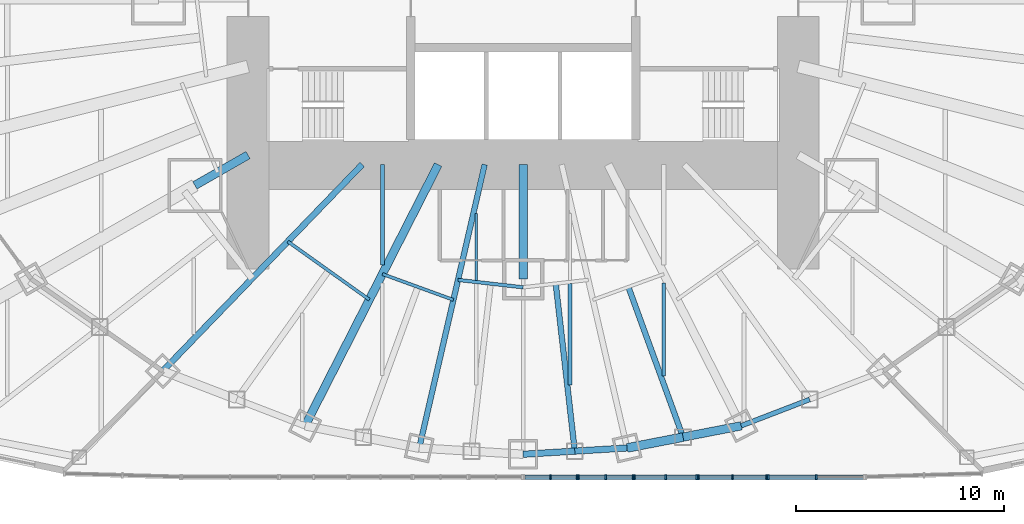
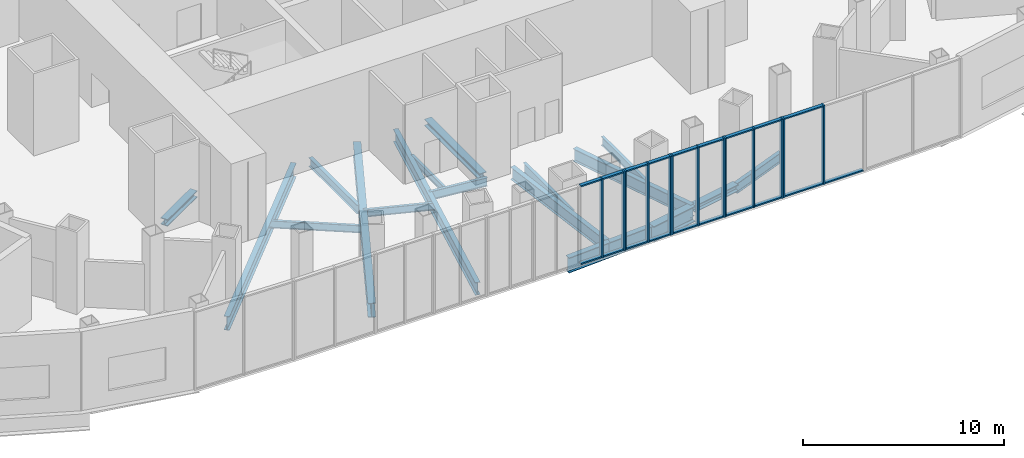
# One storey, part 4 of 73: 32 members, 19 beams, 5 elements without a shape of their own.
"""IFC4 building model written with IfcOpenShell, lengths in metres."""

from ifc_helpers import new_model, si_unit, direction, frame, origin, origin_2d, place, context, subcontext, project, spatial, rectangle, i_section, extrude, material, material_profile, profile_set, type_object, element, aggregate, save


model = new_model("IFC4")

# Units and contexts
model_context = context("Model", 3, precision=1e-05, world=origin(), true_north=direction((0.0, 1.0)))
body_context = subcontext(model_context, "Body", "Model", "MODEL_VIEW")
ifc_project = project(units=[si_unit("LENGTHUNIT", "METRE"), si_unit("AREAUNIT", "SQUARE_METRE"), si_unit("VOLUMEUNIT", "CUBIC_METRE"), si_unit("PLANEANGLEUNIT", "RADIAN"), si_unit("MASSUNIT", "GRAM", prefix="KILO")], contexts=[model_context])

# Site, building, storey
site_placement = place(None, origin())
site = spatial("IfcSite", under=ifc_project, at=site_placement, CompositionType="ELEMENT")
building_placement = place(site_placement, origin())
building = spatial("IfcBuilding", under=site, at=building_placement, Name="Lantaw Convention Tower", CompositionType="ELEMENT")
storey_placement = place(building_placement, frame((0.0, 0.0, 27.0)))
storey = spatial("IfcBuildingStorey", under=building, at=storey_placement, Name="L04", CompositionType="ELEMENT", Elevation=27.0)

# Beams
ifc_material_1 = material(Name="Steel ASTM A992", Category="steel")
ifc_material_profile_1 = material_profile(ifc_material_1, i_section(OverallWidth=0.40380859375, OverallDepth=0.406494140625, WebThickness=0.027099609375, FlangeThickness=0.043701171875, FilletRadius=0.01513671875, at=origin_2d()), Name="W14X233")
ifc_profile_set_1 = profile_set([ifc_material_profile_1], Name="Steel ASTM A992")
beam_type_1 = type_object("IfcBeamType", Name="Beam E W14X233", PredefinedType="SPANDREL", material=ifc_profile_set_1)
beam_1_placement = place(storey_placement, frame((7.671142578125, -21.076416015625, -0.4033203125), z_axis=(0.98163593748, 0.190763954266, 0.0), x_axis=(-0.190763954266, 0.98163593748, 0.0)))
element("IfcBeam", 1, at=beam_1_placement, inside=storey, type_object=beam_type_1, Name="Edge beam 20", PredefinedType="SPANDREL", context=body_context, shape_type="SweptSolid", body=[
    extrude(i_section(OverallWidth=0.40380859375, OverallDepth=0.406494140625, WebThickness=0.027099609375, FlangeThickness=0.043701171875, FilletRadius=0.01513671875, at=origin_2d()), origin(), (0.0, 0.0, 1.0), 2.84375),
])
ifc_material_profile_2 = material_profile(ifc_material_1, i_section(OverallWidth=0.22900390625, OverallDepth=0.612060546875, WebThickness=0.011962890625, FlangeThickness=0.01953125, FilletRadius=0.0126953125, at=origin_2d()), Name="W24X84")
ifc_profile_set_2 = profile_set([ifc_material_profile_2], Name="Steel ASTM A992")
beam_type_2 = type_object("IfcBeamType", Name="Beam E W24X84", PredefinedType="SPANDREL", material=ifc_profile_set_2)
beam_2_placement = place(storey_placement, frame((10.462646484375, -20.533935546875, -0.506103515625), z_axis=(0.933241815012, 0.359248820058, 0.0), x_axis=(-0.359248820058, 0.933241815012, 0.0)))
element("IfcBeam", 2, at=beam_2_placement, inside=storey, type_object=beam_type_2, Name="Edge beam 21", PredefinedType="SPANDREL", context=body_context, shape_type="SweptSolid", body=[
    extrude(i_section(OverallWidth=0.22900390625, OverallDepth=0.612060546875, WebThickness=0.011962890625, FlangeThickness=0.01953125, FilletRadius=0.0126953125, at=origin_2d()), origin(), (0.0, 0.0, 1.0), 3.517578125),
])
ifc_material_profile_3 = material_profile(ifc_material_1, i_section(OverallWidth=0.307373046875, OverallDepth=0.922119140625, WebThickness=0.018310546875, FlangeThickness=0.030029296875, FilletRadius=0.0126953125, at=origin_2d()), Name="W36X182")
ifc_profile_set_3 = profile_set([ifc_material_profile_3], Name="Steel ASTM A992")
beam_type_3 = type_object("IfcBeamType", Name="Beam E W36X182", PredefinedType="SPANDREL", material=ifc_profile_set_3)
beam_3_placement = place(storey_placement, frame((0.0, -21.89990234375, -0.660888671875), z_axis=(0.998175328335, 0.060382231685, 0.0), x_axis=(-0.060382231685, 0.998175328335, 0.0)))
element("IfcBeam", 3, at=beam_3_placement, inside=storey, type_object=beam_type_3, Name="Edge beam 19", PredefinedType="SPANDREL", context=body_context, shape_type="SweptSolid", body=[
    extrude(i_section(OverallWidth=0.307373046875, OverallDepth=0.922119140625, WebThickness=0.018310546875, FlangeThickness=0.030029296875, FilletRadius=0.0126953125, at=origin_2d()), origin(), (0.0, 0.0, 1.0), 2.482666015625),
])
beam_4_placement = place(storey_placement, frame((2.47802734375, -21.75, -0.660888671875), z_axis=(0.998172405641, 0.060430527186, 0.0), x_axis=(-0.060430527186, 0.998172405641, 0.0)))
element("IfcBeam", 4, at=beam_4_placement, inside=storey, type_object=beam_type_3, Name="Edge beam 19", PredefinedType="SPANDREL", context=body_context, shape_type="SweptSolid", body=[
    extrude(i_section(OverallWidth=0.307373046875, OverallDepth=0.922119140625, WebThickness=0.018310546875, FlangeThickness=0.030029296875, FilletRadius=0.0126953125, at=origin_2d()), origin(), (0.0, 0.0, 1.0), 2.512939453125),
])
ifc_material_profile_4 = material_profile(ifc_material_1, i_section(OverallWidth=0.421630859375, OverallDepth=0.937255859375, WebThickness=0.0224609375, FlangeThickness=0.039794921875, FilletRadius=0.02001953125, at=origin_2d()), Name="W36X282")
ifc_profile_set_4 = profile_set([ifc_material_profile_4], Name="Steel ASTM A992")
beam_type_4 = type_object("IfcBeamType", Name="Beam E W36X282", PredefinedType="SPANDREL", material=ifc_profile_set_4)
beam_5_placement = place(storey_placement, frame((4.986328125, -21.59814453125, -0.668701171875), z_axis=(0.981637218105, 0.190757364289, 0.0), x_axis=(-0.190757364289, 0.981637218105, 0.0)))
element("IfcBeam", 5, at=beam_5_placement, inside=storey, type_object=beam_type_4, Name="Edge beam 20", PredefinedType="SPANDREL", context=body_context, shape_type="SweptSolid", body=[
    extrude(i_section(OverallWidth=0.421630859375, OverallDepth=0.937255859375, WebThickness=0.0224609375, FlangeThickness=0.039794921875, FilletRadius=0.02001953125, at=origin_2d()), origin(), (0.0, 0.0, 1.0), 2.735107421875),
])
ifc_material_profile_5 = material_profile(ifc_material_1, i_section(OverallWidth=0.2666015625, OverallDepth=0.7568359375, WebThickness=0.013916015625, FlangeThickness=0.019287109375, FilletRadius=0.0126953125, at=origin_2d()), Name="W30X108")
ifc_profile_set_5 = profile_set([ifc_material_profile_5], Name="Steel ASTM A992")
beam_type_5 = type_object("IfcBeamType", Name="Beam G W30X108", PredefinedType="BEAM", material=ifc_profile_set_5)
beam_6_placement = place(storey_placement, frame((1.5625, -13.713134765625, -0.578369140625), z_axis=(0.113183957156, -0.993574049501, 0.0), x_axis=(0.993574049501, 0.113183957156, 0.0)))
element("IfcBeam", 6, at=beam_6_placement, inside=storey, type_object=beam_type_5, Name="Floor girder on bisector 19", PredefinedType="BEAM", context=body_context, shape_type="SweptSolid", body=[
    extrude(i_section(OverallWidth=0.2666015625, OverallDepth=0.7568359375, WebThickness=0.013916015625, FlangeThickness=0.019287109375, FilletRadius=0.0126953125, at=origin_2d()), origin(), (0.0, 0.0, 1.0), 8.0888671875),
])
ifc_material_profile_6 = material_profile(ifc_material_1, i_section(OverallWidth=0.2666015625, OverallDepth=0.76953125, WebThickness=0.015625, FlangeThickness=0.025390625, FilletRadius=0.0126953125, at=origin_2d()), Name="W30X132")
ifc_profile_set_6 = profile_set([ifc_material_profile_6], Name="Steel ASTM A992")
beam_type_6 = type_object("IfcBeamType", Name="Beam G W30X132", PredefinedType="BEAM", material=ifc_profile_set_6)
beam_7_placement = place(storey_placement, frame((-1.846923828125, -8.0, -0.584716796875), z_axis=(-0.224952773175, -0.97436966796, 0.0), x_axis=(0.97436966796, -0.224952773175, 0.0)))
element("IfcBeam", 7, at=beam_7_placement, inside=storey, type_object=beam_type_6, Name="Floor girder on ray 18", PredefinedType="BEAM", context=body_context, shape_type="SweptSolid", body=[
    extrude(i_section(OverallWidth=0.2666015625, OverallDepth=0.76953125, WebThickness=0.015625, FlangeThickness=0.025390625, FilletRadius=0.0126953125, at=origin_2d()), origin(), (0.0, 0.0, 1.0), 13.955810546875),
])
beam_8_placement = place(storey_placement, frame((5.04931640625, -13.873046875, -0.584716796875), z_axis=(0.342021781151, -0.939692024664, 0.0), x_axis=(0.939692024664, 0.342021781151, 0.0)))
element("IfcBeam", 8, at=beam_8_placement, inside=storey, type_object=beam_type_6, Name="Floor girder on bisector 20", PredefinedType="BEAM", context=body_context, shape_type="SweptSolid", body=[
    extrude(i_section(OverallWidth=0.2666015625, OverallDepth=0.76953125, WebThickness=0.015625, FlangeThickness=0.025390625, FilletRadius=0.0126953125, at=origin_2d()), origin(), (0.0, 0.0, 1.0), 7.665771484375),
])
ifc_material_profile_7 = material_profile(ifc_material_1, i_section(OverallWidth=0.2919921875, OverallDepth=0.845703125, WebThickness=0.015380859375, FlangeThickness=0.0244140625, FilletRadius=0.01513671875, at=origin_2d()), Name="W33X141")
ifc_profile_set_7 = profile_set([ifc_material_profile_7], Name="Steel ASTM A992")
beam_type_7 = type_object("IfcBeamType", Name="Beam G W33X141", PredefinedType="BEAM", material=ifc_profile_set_7)
beam_9_placement = place(storey_placement, frame((-7.7255859375, -8.0, -0.622802734375), z_axis=(-0.694649884291, -0.719347995239, 0.0), x_axis=(0.719347995239, -0.694649884291, 0.0)))
element("IfcBeam", 9, at=beam_9_placement, inside=storey, type_object=beam_type_7, Name="Floor girder on ray 16", PredefinedType="BEAM", context=body_context, shape_type="SweptSolid", body=[
    extrude(i_section(OverallWidth=0.2919921875, OverallDepth=0.845703125, WebThickness=0.015380859375, FlangeThickness=0.0244140625, FilletRadius=0.01513671875, at=origin_2d()), origin(), (0.0, 0.0, 1.0), 13.769775390625),
])
ifc_material_profile_8 = material_profile(ifc_material_1, i_section(OverallWidth=0.398681640625, OverallDepth=0.85595703125, WebThickness=0.01806640625, FlangeThickness=0.029296875, FilletRadius=0.016357421875, at=origin_2d()), Name="W33X201")
ifc_profile_set_8 = profile_set([ifc_material_profile_8], Name="Steel ASTM A992")
beam_type_8 = type_object("IfcBeamType", Name="Beam G W33X201", PredefinedType="BEAM", material=ifc_profile_set_8)
beam_10_placement = place(storey_placement, frame((-4.076171875, -8.0, -0.6279296875), z_axis=(-0.453997016122, -0.891003203896, 0.0), x_axis=(0.891003203896, -0.453997016122, 0.0)))
element("IfcBeam", 10, at=beam_10_placement, inside=storey, type_object=beam_type_8, Name="Floor girder on ray 17", PredefinedType="BEAM", context=body_context, shape_type="SweptSolid", body=[
    extrude(i_section(OverallWidth=0.398681640625, OverallDepth=0.85595703125, WebThickness=0.01806640625, FlangeThickness=0.029296875, FilletRadius=0.016357421875, at=origin_2d()), origin(), (0.0, 0.0, 1.0), 14.067138671875),
])
ifc_material_profile_9 = material_profile(ifc_material_1, i_section(OverallWidth=0.40380859375, OverallDepth=0.406494140625, WebThickness=0.027099609375, FlangeThickness=0.043701171875, FilletRadius=0.01513671875, at=origin_2d()), Name="W14X233")
ifc_profile_set_9 = profile_set([ifc_material_profile_9], Name="Steel ASTM A992")
beam_type_9 = type_object("IfcBeamType", Name="Beam GM W14X233", PredefinedType="BEAM", material=ifc_profile_set_9)
beam_11_placement = place(storey_placement, frame((-13.199951171875, -7.54296875, -0.4033203125), z_axis=(-0.868263603466, -0.496103129295, 0.0), x_axis=(0.496103129295, -0.868263603466, 0.0)))
element("IfcBeam", 11, at=beam_11_placement, inside=storey, type_object=beam_type_9, Name="Core link beam on ray 15", PredefinedType="BEAM", context=body_context, shape_type="SweptSolid", body=[
    extrude(i_section(OverallWidth=0.40380859375, OverallDepth=0.406494140625, WebThickness=0.027099609375, FlangeThickness=0.043701171875, FilletRadius=0.01513671875, at=origin_2d()), origin(), (0.0, 0.0, 1.0), 2.93701171875),
])
beam_12_placement = place(storey_placement, frame((0.0, -8.0, -0.4033203125), z_axis=(0.0, -1.0, 0.0), x_axis=(1.0, 0.0, 0.0)))
element("IfcBeam", 12, at=beam_12_placement, inside=storey, type_object=beam_type_9, Name="Core link beam on ray 19", PredefinedType="BEAM", context=body_context, shape_type="SweptSolid", body=[
    extrude(i_section(OverallWidth=0.40380859375, OverallDepth=0.406494140625, WebThickness=0.027099609375, FlangeThickness=0.043701171875, FilletRadius=0.01513671875, at=origin_2d()), origin(), (0.0, 0.0, 1.0), 5.5),
])
ifc_material_profile_10 = material_profile(ifc_material_1, i_section(OverallWidth=0.15234375, OverallDepth=0.449462890625, WebThickness=0.007568359375, FlangeThickness=0.0107421875, FilletRadius=0.01025390625, at=origin_2d()), Name="W18X35")
ifc_profile_set_10 = profile_set([ifc_material_profile_10], Name="Steel ASTM A992")
beam_type_10 = type_object("IfcBeamType", Name="Beam HC W18X35", PredefinedType="BEAM", material=ifc_profile_set_10)
beam_13_placement = place(storey_placement, frame((-11.291748046875, -11.69287109375, -0.4248046875), z_axis=(0.814110909588, -0.580709416912, 0.0), x_axis=(0.580709416912, 0.814110909588, 0.0)))
element("IfcBeam", 13, at=beam_13_placement, inside=storey, type_object=beam_type_10, Name="Collar beam on bisector 16", PredefinedType="BEAM", context=body_context, shape_type="SweptSolid", body=[
    extrude(i_section(OverallWidth=0.15234375, OverallDepth=0.449462890625, WebThickness=0.007568359375, FlangeThickness=0.0107421875, FilletRadius=0.01025390625, at=origin_2d()), origin(), (0.0, 0.0, 1.0), 4.805419921875),
])
beam_14_placement = place(storey_placement, frame((-6.752685546875, -13.253173828125, -0.4248046875), z_axis=(0.939689171859, -0.342029619025, 0.0), x_axis=(0.342029619025, 0.939689171859, 0.0)))
element("IfcBeam", 14, at=beam_14_placement, inside=storey, type_object=beam_type_10, Name="Collar beam on bisector 17", PredefinedType="BEAM", context=body_context, shape_type="SweptSolid", body=[
    extrude(i_section(OverallWidth=0.15234375, OverallDepth=0.449462890625, WebThickness=0.007568359375, FlangeThickness=0.0107421875, FilletRadius=0.01025390625, at=origin_2d()), origin(), (0.0, 0.0, 1.0), 3.62548828125),
])
ifc_material_profile_11 = material_profile(ifc_material_1, i_section(OverallWidth=0.165771484375, OverallDepth=0.5283203125, WebThickness=0.009765625, FlangeThickness=0.013671875, FilletRadius=0.012939453125, at=origin_2d()), Name="W21X50")
ifc_profile_set_11 = profile_set([ifc_material_profile_11], Name="Steel ASTM A992")
beam_type_11 = type_object("IfcBeamType", Name="Beam HC W21X50", PredefinedType="BEAM", material=ifc_profile_set_11)
beam_15_placement = place(storey_placement, frame((-3.124755859375, -13.534912109375, -0.464111328125), z_axis=(0.99356540907, -0.113259780595, 0.0), x_axis=(0.113259780595, 0.99356540907, 0.0)))
element("IfcBeam", 15, at=beam_15_placement, inside=storey, type_object=beam_type_11, Name="Collar beam on bisector 18", PredefinedType="BEAM", context=body_context, shape_type="SweptSolid", body=[
    extrude(i_section(OverallWidth=0.165771484375, OverallDepth=0.5283203125, WebThickness=0.009765625, FlangeThickness=0.013671875, FilletRadius=0.012939453125, at=origin_2d()), origin(), (0.0, 0.0, 1.0), 3.14501953125),
])
ifc_material_profile_12 = material_profile(ifc_material_1, i_section(OverallWidth=0.140380859375, OverallDepth=0.40380859375, WebThickness=0.007080078125, FlangeThickness=0.01123046875, FilletRadius=0.01025390625, at=origin_2d()), Name="W16X31")
ifc_profile_set_12 = profile_set([ifc_material_profile_12], Name="Steel ASTM A992")
beam_type_12 = type_object("IfcBeamType", Name="Beam J W16X31", PredefinedType="JOIST", material=ifc_profile_set_12)
beam_16_placement = place(storey_placement, frame((-2.25, -13.55126953125, -0.40185546875), z_axis=(0.0, 1.0, 0.0), x_axis=(-1.0, 0.0, 0.0)))
element("IfcBeam", 16, at=beam_16_placement, inside=storey, type_object=beam_type_12, Name="Floor joist", PredefinedType="JOIST", context=body_context, shape_type="SweptSolid", body=[
    extrude(i_section(OverallWidth=0.140380859375, OverallDepth=0.40380859375, WebThickness=0.007080078125, FlangeThickness=0.01123046875, FilletRadius=0.01025390625, at=origin_2d()), origin(), (0.0, 0.0, 1.0), 3.212646484375),
])
ifc_material_profile_13 = material_profile(ifc_material_1, i_section(OverallWidth=0.1650390625, OverallDepth=0.52587890625, WebThickness=0.0087890625, FlangeThickness=0.011474609375, FilletRadius=0.0126953125, at=origin_2d()), Name="W21X44")
ifc_profile_set_13 = profile_set([ifc_material_profile_13], Name="Steel ASTM A992")
beam_type_13 = type_object("IfcBeamType", Name="Beam J W21X44", PredefinedType="JOIST", material=ifc_profile_set_13)
beam_17_placement = place(storey_placement, frame((6.75, -18.155517578125, -0.462890625), z_axis=(0.0, 1.0, 0.0), x_axis=(-1.0, 0.0, 0.0)))
element("IfcBeam", 17, at=beam_17_placement, inside=storey, type_object=beam_type_13, Name="Floor joist", PredefinedType="JOIST", context=body_context, shape_type="SweptSolid", body=[
    extrude(i_section(OverallWidth=0.1650390625, OverallDepth=0.52587890625, WebThickness=0.0087890625, FlangeThickness=0.011474609375, FilletRadius=0.0126953125, at=origin_2d()), origin(), (0.0, 0.0, 1.0), 4.462158203125),
])
ifc_material_profile_14 = material_profile(ifc_material_1, i_section(OverallWidth=0.2099609375, OverallDepth=0.535888671875, WebThickness=0.010986328125, FlangeThickness=0.017333984375, FilletRadius=0.012939453125, at=origin_2d()), Name="W21X68")
ifc_profile_set_14 = profile_set([ifc_material_profile_14], Name="Steel ASTM A992")
beam_type_14 = type_object("IfcBeamType", Name="Beam J W21X68", PredefinedType="JOIST", material=ifc_profile_set_14)
beam_18_placement = place(storey_placement, frame((-6.75, -12.808349609375, -0.468017578125), z_axis=(0.0, 1.0, 0.0), x_axis=(-1.0, 0.0, 0.0)))
element("IfcBeam", 18, at=beam_18_placement, inside=storey, type_object=beam_type_14, Name="Floor joist", PredefinedType="JOIST", context=body_context, shape_type="SweptSolid", body=[
    extrude(i_section(OverallWidth=0.2099609375, OverallDepth=0.535888671875, WebThickness=0.010986328125, FlangeThickness=0.017333984375, FilletRadius=0.012939453125, at=origin_2d()), origin(), (0.0, 0.0, 1.0), 4.808349609375),
])
ifc_material_profile_15 = material_profile(ifc_material_1, i_section(OverallWidth=0.177978515625, OverallDepth=0.599365234375, WebThickness=0.010009765625, FlangeThickness=0.012939453125, FilletRadius=0.012939453125, at=origin_2d()), Name="W24X55")
ifc_profile_set_15 = profile_set([ifc_material_profile_15], Name="Steel ASTM A992")
beam_type_15 = type_object("IfcBeamType", Name="Beam J W24X55", PredefinedType="JOIST", material=ifc_profile_set_15)
beam_19_placement = place(storey_placement, frame((2.25, -18.570068359375, -0.499755859375), z_axis=(0.0, 1.0, 0.0), x_axis=(-1.0, 0.0, 0.0)))
element("IfcBeam", 19, at=beam_19_placement, inside=storey, type_object=beam_type_15, Name="Floor joist", PredefinedType="JOIST", context=body_context, shape_type="SweptSolid", body=[
    extrude(i_section(OverallWidth=0.177978515625, OverallDepth=0.599365234375, WebThickness=0.010009765625, FlangeThickness=0.012939453125, FilletRadius=0.012939453125, at=origin_2d()), origin(), (0.0, 0.0, 1.0), 4.851806640625),
])

# Curtain wall, members
ifc_material_2 = material(Name="Aluminium framed curtain wall", Category="aluminium")
curtain_wall_type = type_object("IfcCurtainWallType", Name="Podium storefront curtain wall, pale aluminium", PredefinedType="USERDEFINED", material=ifc_material_2)
curtain_wall_1_placement = place(storey_placement, origin())
curtain_wall_1 = element("IfcCurtainWall", 20, at=curtain_wall_1_placement, inside=storey, type_object=curtain_wall_type, Name="Podium storefront curtain wall, pale aluminium L04", ObjectType="STOREFRONT", PredefinedType="USERDEFINED")
ifc_material_3 = material(Name="Aluminium 6063-T6", Category="aluminium")
ifc_material_profile_16 = material_profile(ifc_material_3, rectangle(XDim=0.25, YDim=0.080078125, at=origin_2d()), Name="CW-P mullion 80x250")
ifc_profile_set_16 = profile_set([ifc_material_profile_16], Name="Aluminium 6063-T6")
member_type_1 = type_object("IfcMemberType", Name="CW-P mullion 80x250", PredefinedType="MULLION", material=ifc_profile_set_16)
member_1_placement = place(storey_placement, frame((1.310302734375, -23.0, 0.0), z_axis=(0.0, 0.0, 1.0), x_axis=(0.0, 1.0, 0.0)))
member_1 = element("IfcMember", 21, at=member_1_placement, type_object=member_type_1, Name="CW-P mullion 2", PredefinedType="MULLION", context=body_context, shape_type="SweptSolid", body=[
    extrude(rectangle(XDim=0.25, YDim=0.080078125, at=origin_2d()), origin(), (0.0, 0.0, 1.0), 4.800048828125),
])
member_2_placement = place(storey_placement, frame((2.58056640625, -23.0, 0.0), z_axis=(0.0, 0.0, 1.0), x_axis=(0.0, 1.0, 0.0)))
member_2 = element("IfcMember", 22, at=member_2_placement, type_object=member_type_1, Name="CW-P mullion 3", PredefinedType="MULLION", context=body_context, shape_type="SweptSolid", body=[
    extrude(rectangle(XDim=0.25, YDim=0.080078125, at=origin_2d()), origin(), (0.0, 0.0, 1.0), 4.800048828125),
])

curtain_wall_2_placement = place(storey_placement, origin())
curtain_wall_2 = element("IfcCurtainWall", 23, at=curtain_wall_2_placement, inside=storey, type_object=curtain_wall_type, Name="Podium storefront curtain wall, pale aluminium L04", ObjectType="STOREFRONT", PredefinedType="USERDEFINED")
member_3_placement = place(storey_placement, frame((2.660400390625, -23.0, 0.0), z_axis=(0.0, 0.0, 1.0), x_axis=(0.0, 1.0, 0.0)))
member_3 = element("IfcMember", 24, at=member_3_placement, type_object=member_type_1, Name="CW-P mullion 1", PredefinedType="MULLION", context=body_context, shape_type="SweptSolid", body=[
    extrude(rectangle(XDim=0.25, YDim=0.080078125, at=origin_2d()), origin(), (0.0, 0.0, 1.0), 4.800048828125),
])
member_4_placement = place(storey_placement, frame((3.96533203125, -23.0, 0.0), z_axis=(0.0, 0.0, 1.0), x_axis=(0.0, 1.0, 0.0)))
member_4 = element("IfcMember", 25, at=member_4_placement, type_object=member_type_1, Name="CW-P mullion 2", PredefinedType="MULLION", context=body_context, shape_type="SweptSolid", body=[
    extrude(rectangle(XDim=0.25, YDim=0.080078125, at=origin_2d()), origin(), (0.0, 0.0, 1.0), 4.800048828125),
])
member_5_placement = place(storey_placement, frame((5.27001953125, -23.0, 0.0), z_axis=(0.0, 0.0, 1.0), x_axis=(0.0, 1.0, 0.0)))
member_5 = element("IfcMember", 26, at=member_5_placement, type_object=member_type_1, Name="CW-P mullion 3", PredefinedType="MULLION", context=body_context, shape_type="SweptSolid", body=[
    extrude(rectangle(XDim=0.25, YDim=0.080078125, at=origin_2d()), origin(), (0.0, 0.0, 1.0), 4.800048828125),
])

curtain_wall_3_placement = place(storey_placement, origin())
curtain_wall_3 = element("IfcCurtainWall", 27, at=curtain_wall_3_placement, inside=storey, type_object=curtain_wall_type, Name="Podium storefront curtain wall, pale aluminium L04", ObjectType="STOREFRONT", PredefinedType="USERDEFINED")
member_6_placement = place(storey_placement, frame((5.349853515625, -23.0, 0.0), z_axis=(0.0, 0.0, 1.0), x_axis=(0.0, 1.0, 0.0)))
member_6 = element("IfcMember", 28, at=member_6_placement, type_object=member_type_1, Name="CW-P mullion 1", PredefinedType="MULLION", context=body_context, shape_type="SweptSolid", body=[
    extrude(rectangle(XDim=0.25, YDim=0.080078125, at=origin_2d()), origin(), (0.0, 0.0, 1.0), 4.800048828125),
])
member_7_placement = place(storey_placement, frame((6.840576171875, -23.0, 0.0), z_axis=(0.0, 0.0, 1.0), x_axis=(0.0, 1.0, 0.0)))
member_7 = element("IfcMember", 29, at=member_7_placement, type_object=member_type_1, Name="CW-P mullion 2", PredefinedType="MULLION", context=body_context, shape_type="SweptSolid", body=[
    extrude(rectangle(XDim=0.25, YDim=0.080078125, at=origin_2d()), origin(), (0.0, 0.0, 1.0), 4.800048828125),
])
member_8_placement = place(storey_placement, frame((8.331298828125, -23.0, 0.0), z_axis=(0.0, 0.0, 1.0), x_axis=(0.0, 1.0, 0.0)))
member_8 = element("IfcMember", 30, at=member_8_placement, type_object=member_type_1, Name="CW-P mullion 3", PredefinedType="MULLION", context=body_context, shape_type="SweptSolid", body=[
    extrude(rectangle(XDim=0.25, YDim=0.080078125, at=origin_2d()), origin(), (0.0, 0.0, 1.0), 4.800048828125),
])

curtain_wall_4_placement = place(storey_placement, origin())
curtain_wall_4 = element("IfcCurtainWall", 31, at=curtain_wall_4_placement, inside=storey, type_object=curtain_wall_type, Name="Podium storefront curtain wall, pale aluminium L04", ObjectType="STOREFRONT", PredefinedType="USERDEFINED")
member_9_placement = place(storey_placement, frame((8.411376953125, -23.0, 0.0), z_axis=(0.0, 0.0, 1.0), x_axis=(0.0, 1.0, 0.0)))
member_9 = element("IfcMember", 32, at=member_9_placement, type_object=member_type_1, Name="CW-P mullion 1", PredefinedType="MULLION", context=body_context, shape_type="SweptSolid", body=[
    extrude(rectangle(XDim=0.25, YDim=0.080078125, at=origin_2d()), origin(), (0.0, 0.0, 1.0), 4.800048828125),
])
member_10_placement = place(storey_placement, frame((10.045166015625, -23.0, 0.0), z_axis=(0.0, 0.0, 1.0), x_axis=(0.0, 1.0, 0.0)))
member_10 = element("IfcMember", 33, at=member_10_placement, type_object=member_type_1, Name="CW-P mullion 2", PredefinedType="MULLION", context=body_context, shape_type="SweptSolid", body=[
    extrude(rectangle(XDim=0.25, YDim=0.080078125, at=origin_2d()), origin(), (0.0, 0.0, 1.0), 4.800048828125),
])
member_11_placement = place(storey_placement, frame((11.67919921875, -23.0, 0.0), z_axis=(0.0, 0.0, 1.0), x_axis=(0.0, 1.0, 0.0)))
member_11 = element("IfcMember", 34, at=member_11_placement, type_object=member_type_1, Name="CW-P mullion 3", PredefinedType="MULLION", context=body_context, shape_type="SweptSolid", body=[
    extrude(rectangle(XDim=0.25, YDim=0.080078125, at=origin_2d()), origin(), (0.0, 0.0, 1.0), 4.800048828125),
])

curtain_wall_5_placement = place(storey_placement, origin())
curtain_wall_5 = element("IfcCurtainWall", 35, at=curtain_wall_5_placement, inside=storey, type_object=curtain_wall_type, Name="Podium storefront curtain wall, pale aluminium L04", ObjectType="STOREFRONT", PredefinedType="USERDEFINED")
member_12_placement = place(storey_placement, frame((11.759033203125, -23.0, 0.0), z_axis=(0.0, 0.0, 1.0), x_axis=(0.0, 1.0, 0.0)))
member_12 = element("IfcMember", 36, at=member_12_placement, type_object=member_type_1, Name="CW-P mullion 1", PredefinedType="MULLION", context=body_context, shape_type="SweptSolid", body=[
    extrude(rectangle(XDim=0.25, YDim=0.080078125, at=origin_2d()), origin(), (0.0, 0.0, 1.0), 4.800048828125),
])
member_13_placement = place(storey_placement, frame((14.0625, -23.0, 0.0), z_axis=(0.0, 0.0, 1.0), x_axis=(0.0, 1.0, 0.0)))
member_13 = element("IfcMember", 37, at=member_13_placement, type_object=member_type_1, Name="CW-P mullion 2", PredefinedType="MULLION", context=body_context, shape_type="SweptSolid", body=[
    extrude(rectangle(XDim=0.25, YDim=0.080078125, at=origin_2d()), origin(), (0.0, 0.0, 1.0), 4.800048828125),
])

# Member
ifc_material_profile_17 = material_profile(ifc_material_3, rectangle(XDim=0.199951171875, YDim=0.080078125, at=origin_2d()), Name="CW-P transom 80x200")
ifc_profile_set_17 = profile_set([ifc_material_profile_17], Name="Aluminium 6063-T6")
member_type_2 = type_object("IfcMemberType", Name="CW-P transom 80x200", PredefinedType="USERDEFINED", material=ifc_profile_set_17)
member_14_placement = place(storey_placement, frame((0.080078125, -23.0, 0.0400390625), z_axis=(1.0, 0.0, 0.0), x_axis=(0.0, 1.0, 0.0)))
member_14 = element("IfcMember", 38, at=member_14_placement, type_object=member_type_2, Name="CW-P transom 1.1", ObjectType="TRANSOM", PredefinedType="USERDEFINED", context=body_context, shape_type="SweptSolid", body=[
    extrude(rectangle(XDim=0.199951171875, YDim=0.080078125, at=origin_2d()), origin(), (0.0, 0.0, 1.0), 1.190185546875),
])

member_15_placement = place(storey_placement, frame((0.080078125, -23.0, 4.760009765625), z_axis=(1.0, 0.0, 0.0), x_axis=(0.0, 1.0, 0.0)))
member_15 = element("IfcMember", 39, at=member_15_placement, type_object=member_type_2, Name="CW-P transom 1.2", ObjectType="TRANSOM", PredefinedType="USERDEFINED", context=body_context, shape_type="SweptSolid", body=[
    extrude(rectangle(XDim=0.199951171875, YDim=0.080078125, at=origin_2d()), origin(), (0.0, 0.0, 1.0), 1.190185546875),
])

member_16_placement = place(storey_placement, frame((1.350341796875, -23.0, 0.0400390625), z_axis=(1.0, 0.0, 0.0), x_axis=(0.0, 1.0, 0.0)))
member_16 = element("IfcMember", 40, at=member_16_placement, type_object=member_type_2, Name="CW-P transom 2.1", ObjectType="TRANSOM", PredefinedType="USERDEFINED", context=body_context, shape_type="SweptSolid", body=[
    extrude(rectangle(XDim=0.199951171875, YDim=0.080078125, at=origin_2d()), origin(), (0.0, 0.0, 1.0), 1.190185546875),
])

member_17_placement = place(storey_placement, frame((1.350341796875, -23.0, 4.760009765625), z_axis=(1.0, 0.0, 0.0), x_axis=(0.0, 1.0, 0.0)))
member_17 = element("IfcMember", 41, at=member_17_placement, type_object=member_type_2, Name="CW-P transom 2.2", ObjectType="TRANSOM", PredefinedType="USERDEFINED", context=body_context, shape_type="SweptSolid", body=[
    extrude(rectangle(XDim=0.199951171875, YDim=0.080078125, at=origin_2d()), origin(), (0.0, 0.0, 1.0), 1.190185546875),
])

aggregate(curtain_wall_1, [member_1, member_2, member_14, member_15, member_16, member_17])

member_18_placement = place(storey_placement, frame((2.700439453125, -23.0, 0.0400390625), z_axis=(1.0, 0.0, 0.0), x_axis=(0.0, 1.0, 0.0)))
member_18 = element("IfcMember", 42, at=member_18_placement, type_object=member_type_2, Name="CW-P transom 1.1", ObjectType="TRANSOM", PredefinedType="USERDEFINED", context=body_context, shape_type="SweptSolid", body=[
    extrude(rectangle(XDim=0.199951171875, YDim=0.080078125, at=origin_2d()), origin(), (0.0, 0.0, 1.0), 1.224853515625),
])

member_19_placement = place(storey_placement, frame((2.700439453125, -23.0, 4.760009765625), z_axis=(1.0, 0.0, 0.0), x_axis=(0.0, 1.0, 0.0)))
member_19 = element("IfcMember", 43, at=member_19_placement, type_object=member_type_2, Name="CW-P transom 1.2", ObjectType="TRANSOM", PredefinedType="USERDEFINED", context=body_context, shape_type="SweptSolid", body=[
    extrude(rectangle(XDim=0.199951171875, YDim=0.080078125, at=origin_2d()), origin(), (0.0, 0.0, 1.0), 1.224853515625),
])

member_20_placement = place(storey_placement, frame((4.005126953125, -23.0, 0.0400390625), z_axis=(1.0, 0.0, 0.0), x_axis=(0.0, 1.0, 0.0)))
member_20 = element("IfcMember", 44, at=member_20_placement, type_object=member_type_2, Name="CW-P transom 2.1", ObjectType="TRANSOM", PredefinedType="USERDEFINED", context=body_context, shape_type="SweptSolid", body=[
    extrude(rectangle(XDim=0.199951171875, YDim=0.080078125, at=origin_2d()), origin(), (0.0, 0.0, 1.0), 1.224853515625),
])

member_21_placement = place(storey_placement, frame((4.005126953125, -23.0, 4.760009765625), z_axis=(1.0, 0.0, 0.0), x_axis=(0.0, 1.0, 0.0)))
member_21 = element("IfcMember", 45, at=member_21_placement, type_object=member_type_2, Name="CW-P transom 2.2", ObjectType="TRANSOM", PredefinedType="USERDEFINED", context=body_context, shape_type="SweptSolid", body=[
    extrude(rectangle(XDim=0.199951171875, YDim=0.080078125, at=origin_2d()), origin(), (0.0, 0.0, 1.0), 1.224853515625),
])

aggregate(curtain_wall_2, [member_3, member_4, member_5, member_18, member_19, member_20, member_21])

member_22_placement = place(storey_placement, frame((5.389892578125, -23.0, 0.0400390625), z_axis=(1.0, 0.0, 0.0), x_axis=(0.0, 1.0, 0.0)))
member_22 = element("IfcMember", 46, at=member_22_placement, type_object=member_type_2, Name="CW-P transom 1.1", ObjectType="TRANSOM", PredefinedType="USERDEFINED", context=body_context, shape_type="SweptSolid", body=[
    extrude(rectangle(XDim=0.199951171875, YDim=0.080078125, at=origin_2d()), origin(), (0.0, 0.0, 1.0), 1.41064453125),
])

member_23_placement = place(storey_placement, frame((5.389892578125, -23.0, 4.760009765625), z_axis=(1.0, 0.0, 0.0), x_axis=(0.0, 1.0, 0.0)))
member_23 = element("IfcMember", 47, at=member_23_placement, type_object=member_type_2, Name="CW-P transom 1.2", ObjectType="TRANSOM", PredefinedType="USERDEFINED", context=body_context, shape_type="SweptSolid", body=[
    extrude(rectangle(XDim=0.199951171875, YDim=0.080078125, at=origin_2d()), origin(), (0.0, 0.0, 1.0), 1.41064453125),
])

member_24_placement = place(storey_placement, frame((6.880615234375, -23.0, 0.0400390625), z_axis=(1.0, 0.0, 0.0), x_axis=(0.0, 1.0, 0.0)))
member_24 = element("IfcMember", 48, at=member_24_placement, type_object=member_type_2, Name="CW-P transom 2.1", ObjectType="TRANSOM", PredefinedType="USERDEFINED", context=body_context, shape_type="SweptSolid", body=[
    extrude(rectangle(XDim=0.199951171875, YDim=0.080078125, at=origin_2d()), origin(), (0.0, 0.0, 1.0), 1.41064453125),
])

member_25_placement = place(storey_placement, frame((6.880615234375, -23.0, 4.760009765625), z_axis=(1.0, 0.0, 0.0), x_axis=(0.0, 1.0, 0.0)))
member_25 = element("IfcMember", 49, at=member_25_placement, type_object=member_type_2, Name="CW-P transom 2.2", ObjectType="TRANSOM", PredefinedType="USERDEFINED", context=body_context, shape_type="SweptSolid", body=[
    extrude(rectangle(XDim=0.199951171875, YDim=0.080078125, at=origin_2d()), origin(), (0.0, 0.0, 1.0), 1.41064453125),
])

aggregate(curtain_wall_3, [member_6, member_7, member_8, member_22, member_23, member_24, member_25])

member_26_placement = place(storey_placement, frame((8.451416015625, -23.0, 0.0400390625), z_axis=(1.0, 0.0, 0.0), x_axis=(0.0, 1.0, 0.0)))
member_26 = element("IfcMember", 50, at=member_26_placement, type_object=member_type_2, Name="CW-P transom 1.1", ObjectType="TRANSOM", PredefinedType="USERDEFINED", context=body_context, shape_type="SweptSolid", body=[
    extrude(rectangle(XDim=0.199951171875, YDim=0.080078125, at=origin_2d()), origin(), (0.0, 0.0, 1.0), 1.5537109375),
])

member_27_placement = place(storey_placement, frame((8.451416015625, -23.0, 4.760009765625), z_axis=(1.0, 0.0, 0.0), x_axis=(0.0, 1.0, 0.0)))
member_27 = element("IfcMember", 51, at=member_27_placement, type_object=member_type_2, Name="CW-P transom 1.2", ObjectType="TRANSOM", PredefinedType="USERDEFINED", context=body_context, shape_type="SweptSolid", body=[
    extrude(rectangle(XDim=0.199951171875, YDim=0.080078125, at=origin_2d()), origin(), (0.0, 0.0, 1.0), 1.5537109375),
])

member_28_placement = place(storey_placement, frame((10.085205078125, -23.0, 0.0400390625), z_axis=(1.0, 0.0, 0.0), x_axis=(0.0, 1.0, 0.0)))
member_28 = element("IfcMember", 52, at=member_28_placement, type_object=member_type_2, Name="CW-P transom 2.1", ObjectType="TRANSOM", PredefinedType="USERDEFINED", context=body_context, shape_type="SweptSolid", body=[
    extrude(rectangle(XDim=0.199951171875, YDim=0.080078125, at=origin_2d()), origin(), (0.0, 0.0, 1.0), 1.553955078125),
])

member_29_placement = place(storey_placement, frame((10.085205078125, -23.0, 4.760009765625), z_axis=(1.0, 0.0, 0.0), x_axis=(0.0, 1.0, 0.0)))
member_29 = element("IfcMember", 53, at=member_29_placement, type_object=member_type_2, Name="CW-P transom 2.2", ObjectType="TRANSOM", PredefinedType="USERDEFINED", context=body_context, shape_type="SweptSolid", body=[
    extrude(rectangle(XDim=0.199951171875, YDim=0.080078125, at=origin_2d()), origin(), (0.0, 0.0, 1.0), 1.553955078125),
])

aggregate(curtain_wall_4, [member_9, member_10, member_11, member_26, member_27, member_28, member_29])

member_30_placement = place(storey_placement, frame((11.799072265625, -23.0, 0.0400390625), z_axis=(1.0, 0.0, 0.0), x_axis=(0.0, 1.0, 0.0)))
member_30 = element("IfcMember", 54, at=member_30_placement, type_object=member_type_2, Name="CW-P transom 1.1", ObjectType="TRANSOM", PredefinedType="USERDEFINED", context=body_context, shape_type="SweptSolid", body=[
    extrude(rectangle(XDim=0.199951171875, YDim=0.080078125, at=origin_2d()), origin(), (0.0, 0.0, 1.0), 2.223388671875),
])

member_31_placement = place(storey_placement, frame((11.799072265625, -23.0, 4.760009765625), z_axis=(1.0, 0.0, 0.0), x_axis=(0.0, 1.0, 0.0)))
member_31 = element("IfcMember", 55, at=member_31_placement, type_object=member_type_2, Name="CW-P transom 1.2", ObjectType="TRANSOM", PredefinedType="USERDEFINED", context=body_context, shape_type="SweptSolid", body=[
    extrude(rectangle(XDim=0.199951171875, YDim=0.080078125, at=origin_2d()), origin(), (0.0, 0.0, 1.0), 2.223388671875),
])

member_32_placement = place(storey_placement, frame((14.102294921875, -23.0, 0.0400390625), z_axis=(1.0, 0.0, 0.0), x_axis=(0.0, 1.0, 0.0)))
member_32 = element("IfcMember", 56, at=member_32_placement, type_object=member_type_2, Name="CW-P transom 2.1", ObjectType="TRANSOM", PredefinedType="USERDEFINED", context=body_context, shape_type="SweptSolid", body=[
    extrude(rectangle(XDim=0.199951171875, YDim=0.080078125, at=origin_2d()), origin(), (0.0, 0.0, 1.0), 2.223388671875),
])

aggregate(curtain_wall_5, [member_12, member_13, member_30, member_31, member_32])

save(model, "model.ifc")
